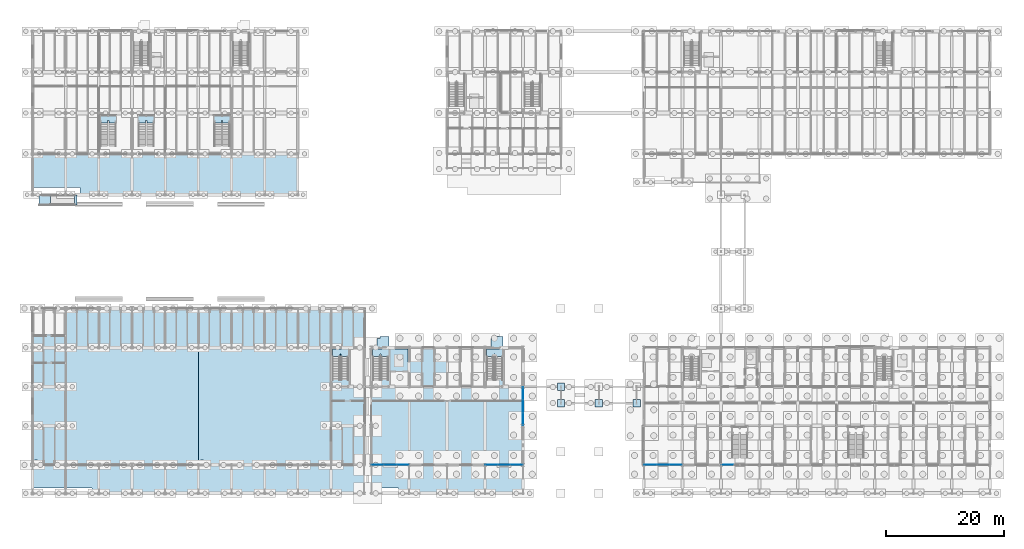
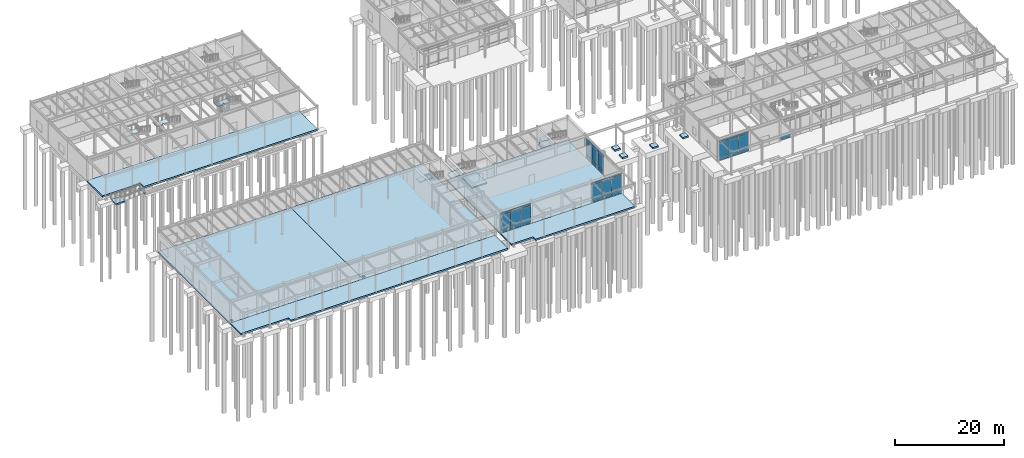
# One storey, part 50 of 82: 37 plates, 21 slabs, 11 elements without a shape of their own.
"""IFC4 building model written with IfcOpenShell, lengths in metres."""

from ifc_helpers import new_model, si_unit, direction, frame, origin, origin_2d, place, context, subcontext, project, spatial, polyline, rectangle, outline, extrude, material, layer, layer_set, type_object, element, aggregate, save


model = new_model("IFC4")

# Units and contexts
model_context = context("Model", 3, precision=1e-05, world=origin(), true_north=direction((0.0, 1.0)))
body_context = subcontext(model_context, "Body", "Model", "MODEL_VIEW")
ifc_project = project(units=[si_unit("LENGTHUNIT", "METRE"), si_unit("AREAUNIT", "SQUARE_METRE"), si_unit("VOLUMEUNIT", "CUBIC_METRE"), si_unit("PLANEANGLEUNIT", "RADIAN"), si_unit("MASSUNIT", "GRAM", prefix="KILO")], contexts=[model_context])

# Site, building, storey
site_placement = place(None, origin())
site = spatial("IfcSite", under=ifc_project, at=site_placement, CompositionType="ELEMENT")
building_placement = place(site_placement, origin())
building = spatial("IfcBuilding", under=site, at=building_placement, Name="Trelmorton Wharf Fire Station", CompositionType="ELEMENT")
storey_placement = place(building_placement, origin())
storey = spatial("IfcBuildingStorey", under=building, at=storey_placement, Name="L00", CompositionType="ELEMENT", Elevation=0.0)

# Curtain wall, plates
ifc_material_1 = material(Name="Anodised aluminium AW-6063", Category="aluminium")
ifc_layer_1 = layer(ifc_material_1, 0.159912109375)
ifc_layer_set_1 = layer_set([ifc_layer_1], Name="Anodised aluminium AW-6063")
curtain_wall_type_1 = type_object("IfcCurtainWallType", Name="CW_CHIC_A", PredefinedType="USERDEFINED", material=ifc_layer_set_1)
curtain_wall_1_placement = place(storey_placement, origin())
curtain_wall_1 = element("IfcCurtainWall", 1, at=curtain_wall_1_placement, inside=storey, type_object=curtain_wall_type_1, Name="CW-V3-L00-019", ObjectType="CHICAGO BAY CURTAIN WALL", PredefinedType="USERDEFINED")
ifc_material_2 = material(Name="Tempered low-E double glazing", Category="glass")
ifc_layer_2 = layer(ifc_material_2, 0.028076171875)
ifc_layer_set_2 = layer_set([ifc_layer_2], Name="Tempered low-E double glazing")
plate_type_1 = type_object("IfcPlateType", Name="CWP_GLAZ_28", PredefinedType="CURTAIN_PANEL", material=ifc_layer_set_2)
plate_1_placement = place(storey_placement, frame((63.31494140625, 7.800048828125, 0.06005859375), z_axis=(0.0, 0.0, 1.0), x_axis=(-1.0, 0.0, 0.0)))
plate_1 = element("IfcPlate", 2, at=plate_1_placement, type_object=plate_type_1, Name="CW1 panel 1.1", PredefinedType="CURTAIN_PANEL", context=body_context, shape_type="SweptSolid", body=[
    extrude(rectangle(XDim=2.0400390625, YDim=0.028076171875, at=origin_2d()), origin(), (0.0, 0.0, 1.0), 0.760009765625),
])
plate_2_placement = place(storey_placement, frame((63.31494140625, 7.800048828125, 0.8798828125), z_axis=(0.0, 0.0, 1.0), x_axis=(-1.0, 0.0, 0.0)))
plate_2 = element("IfcPlate", 3, at=plate_2_placement, type_object=plate_type_1, Name="CW1 panel 1.2", PredefinedType="CURTAIN_PANEL", context=body_context, shape_type="SweptSolid", body=[
    extrude(rectangle(XDim=2.0400390625, YDim=0.028076171875, at=origin_2d()), origin(), (0.0, 0.0, 1.0), 3.110107421875),
])
plate_3_placement = place(storey_placement, frame((63.31494140625, 7.800048828125, 4.0498046875), z_axis=(0.0, 0.0, 1.0), x_axis=(-1.0, 0.0, 0.0)))
plate_3 = element("IfcPlate", 4, at=plate_3_placement, type_object=plate_type_1, Name="CW1 panel 1.3", PredefinedType="CURTAIN_PANEL", context=body_context, shape_type="SweptSolid", body=[
    extrude(rectangle(XDim=2.0400390625, YDim=0.028076171875, at=origin_2d()), origin(), (0.0, 0.0, 1.0), 0.409912109375),
])
plate_4_placement = place(storey_placement, frame((61.199951171875, 7.800048828125, 0.06005859375), z_axis=(0.0, 0.0, 1.0), x_axis=(-1.0, 0.0, 0.0)))
plate_4 = element("IfcPlate", 5, at=plate_4_placement, type_object=plate_type_1, Name="CW1 panel 2.1", PredefinedType="CURTAIN_PANEL", context=body_context, shape_type="SweptSolid", body=[
    extrude(rectangle(XDim=2.070068359375, YDim=0.028076171875, at=origin_2d()), origin(), (0.0, 0.0, 1.0), 0.760009765625),
])
plate_5_placement = place(storey_placement, frame((61.199951171875, 7.800048828125, 0.8798828125), z_axis=(0.0, 0.0, 1.0), x_axis=(-1.0, 0.0, 0.0)))
plate_5 = element("IfcPlate", 6, at=plate_5_placement, type_object=plate_type_1, Name="CW1 panel 2.2", PredefinedType="CURTAIN_PANEL", context=body_context, shape_type="SweptSolid", body=[
    extrude(rectangle(XDim=2.070068359375, YDim=0.028076171875, at=origin_2d()), origin(), (0.0, 0.0, 1.0), 3.110107421875),
])
plate_6_placement = place(storey_placement, frame((61.199951171875, 7.800048828125, 4.0498046875), z_axis=(0.0, 0.0, 1.0), x_axis=(-1.0, 0.0, 0.0)))
plate_6 = element("IfcPlate", 7, at=plate_6_placement, type_object=plate_type_1, Name="CW1 panel 2.3", PredefinedType="CURTAIN_PANEL", context=body_context, shape_type="SweptSolid", body=[
    extrude(rectangle(XDim=2.070068359375, YDim=0.028076171875, at=origin_2d()), origin(), (0.0, 0.0, 1.0), 0.409912109375),
])
plate_7_placement = place(storey_placement, frame((59.0849609375, 7.800048828125, 0.06005859375), z_axis=(0.0, 0.0, 1.0), x_axis=(-1.0, 0.0, 0.0)))
plate_7 = element("IfcPlate", 8, at=plate_7_placement, type_object=plate_type_1, Name="CW1 panel 3.1", PredefinedType="CURTAIN_PANEL", context=body_context, shape_type="SweptSolid", body=[
    extrude(rectangle(XDim=2.0400390625, YDim=0.028076171875, at=origin_2d()), origin(), (0.0, 0.0, 1.0), 0.760009765625),
])
plate_8_placement = place(storey_placement, frame((59.0849609375, 7.800048828125, 0.8798828125), z_axis=(0.0, 0.0, 1.0), x_axis=(-1.0, 0.0, 0.0)))
plate_8 = element("IfcPlate", 9, at=plate_8_placement, type_object=plate_type_1, Name="CW1 panel 3.2", PredefinedType="CURTAIN_PANEL", context=body_context, shape_type="SweptSolid", body=[
    extrude(rectangle(XDim=2.0400390625, YDim=0.028076171875, at=origin_2d()), origin(), (0.0, 0.0, 1.0), 3.110107421875),
])
plate_9_placement = place(storey_placement, frame((59.0849609375, 7.800048828125, 4.0498046875), z_axis=(0.0, 0.0, 1.0), x_axis=(-1.0, 0.0, 0.0)))
plate_9 = element("IfcPlate", 10, at=plate_9_placement, type_object=plate_type_1, Name="CW1 panel 3.3", PredefinedType="CURTAIN_PANEL", context=body_context, shape_type="SweptSolid", body=[
    extrude(rectangle(XDim=2.0400390625, YDim=0.028076171875, at=origin_2d()), origin(), (0.0, 0.0, 1.0), 0.409912109375),
])
aggregate(curtain_wall_1, [plate_1, plate_2, plate_3, plate_4, plate_5, plate_6, plate_7, plate_8, plate_9])

curtain_wall_2_placement = place(storey_placement, origin())
curtain_wall_2 = element("IfcCurtainWall", 11, at=curtain_wall_2_placement, inside=storey, type_object=curtain_wall_type_1, Name="CW-V3-L00-020", ObjectType="CHICAGO BAY CURTAIN WALL", PredefinedType="USERDEFINED")
plate_10_placement = place(storey_placement, frame((82.514892578125, 7.800048828125, 0.06005859375), z_axis=(0.0, 0.0, 1.0), x_axis=(-1.0, 0.0, 0.0)))
plate_10 = element("IfcPlate", 12, at=plate_10_placement, type_object=plate_type_1, Name="CW1 panel 1.1", PredefinedType="CURTAIN_PANEL", context=body_context, shape_type="SweptSolid", body=[
    extrude(rectangle(XDim=2.0400390625, YDim=0.028076171875, at=origin_2d()), origin(), (0.0, 0.0, 1.0), 0.760009765625),
])
plate_11_placement = place(storey_placement, frame((82.514892578125, 7.800048828125, 0.8798828125), z_axis=(0.0, 0.0, 1.0), x_axis=(-1.0, 0.0, 0.0)))
plate_11 = element("IfcPlate", 13, at=plate_11_placement, type_object=plate_type_1, Name="CW1 panel 1.2", PredefinedType="CURTAIN_PANEL", context=body_context, shape_type="SweptSolid", body=[
    extrude(rectangle(XDim=2.0400390625, YDim=0.028076171875, at=origin_2d()), origin(), (0.0, 0.0, 1.0), 3.110107421875),
])
plate_12_placement = place(storey_placement, frame((82.514892578125, 7.800048828125, 4.0498046875), z_axis=(0.0, 0.0, 1.0), x_axis=(-1.0, 0.0, 0.0)))
plate_12 = element("IfcPlate", 14, at=plate_12_placement, type_object=plate_type_1, Name="CW1 panel 1.3", PredefinedType="CURTAIN_PANEL", context=body_context, shape_type="SweptSolid", body=[
    extrude(rectangle(XDim=2.0400390625, YDim=0.028076171875, at=origin_2d()), origin(), (0.0, 0.0, 1.0), 0.409912109375),
])
plate_13_placement = place(storey_placement, frame((80.39990234375, 7.800048828125, 0.06005859375), z_axis=(0.0, 0.0, 1.0), x_axis=(-1.0, 0.0, 0.0)))
plate_13 = element("IfcPlate", 15, at=plate_13_placement, type_object=plate_type_1, Name="CW1 panel 2.1", PredefinedType="CURTAIN_PANEL", context=body_context, shape_type="SweptSolid", body=[
    extrude(rectangle(XDim=2.070068359375, YDim=0.028076171875, at=origin_2d()), origin(), (0.0, 0.0, 1.0), 0.760009765625),
])
plate_14_placement = place(storey_placement, frame((80.39990234375, 7.800048828125, 0.8798828125), z_axis=(0.0, 0.0, 1.0), x_axis=(-1.0, 0.0, 0.0)))
plate_14 = element("IfcPlate", 16, at=plate_14_placement, type_object=plate_type_1, Name="CW1 panel 2.2", PredefinedType="CURTAIN_PANEL", context=body_context, shape_type="SweptSolid", body=[
    extrude(rectangle(XDim=2.070068359375, YDim=0.028076171875, at=origin_2d()), origin(), (0.0, 0.0, 1.0), 3.110107421875),
])
plate_15_placement = place(storey_placement, frame((80.39990234375, 7.800048828125, 4.0498046875), z_axis=(0.0, 0.0, 1.0), x_axis=(-1.0, 0.0, 0.0)))
plate_15 = element("IfcPlate", 17, at=plate_15_placement, type_object=plate_type_1, Name="CW1 panel 2.3", PredefinedType="CURTAIN_PANEL", context=body_context, shape_type="SweptSolid", body=[
    extrude(rectangle(XDim=2.070068359375, YDim=0.028076171875, at=origin_2d()), origin(), (0.0, 0.0, 1.0), 0.409912109375),
])
plate_16_placement = place(storey_placement, frame((78.284912109375, 7.800048828125, 0.06005859375), z_axis=(0.0, 0.0, 1.0), x_axis=(-1.0, 0.0, 0.0)))
plate_16 = element("IfcPlate", 18, at=plate_16_placement, type_object=plate_type_1, Name="CW1 panel 3.1", PredefinedType="CURTAIN_PANEL", context=body_context, shape_type="SweptSolid", body=[
    extrude(rectangle(XDim=2.0400390625, YDim=0.028076171875, at=origin_2d()), origin(), (0.0, 0.0, 1.0), 0.760009765625),
])
plate_17_placement = place(storey_placement, frame((78.284912109375, 7.800048828125, 0.8798828125), z_axis=(0.0, 0.0, 1.0), x_axis=(-1.0, 0.0, 0.0)))
plate_17 = element("IfcPlate", 19, at=plate_17_placement, type_object=plate_type_1, Name="CW1 panel 3.2", PredefinedType="CURTAIN_PANEL", context=body_context, shape_type="SweptSolid", body=[
    extrude(rectangle(XDim=2.0400390625, YDim=0.028076171875, at=origin_2d()), origin(), (0.0, 0.0, 1.0), 3.110107421875),
])
plate_18_placement = place(storey_placement, frame((78.284912109375, 7.800048828125, 4.0498046875), z_axis=(0.0, 0.0, 1.0), x_axis=(-1.0, 0.0, 0.0)))
plate_18 = element("IfcPlate", 20, at=plate_18_placement, type_object=plate_type_1, Name="CW1 panel 3.3", PredefinedType="CURTAIN_PANEL", context=body_context, shape_type="SweptSolid", body=[
    extrude(rectangle(XDim=2.0400390625, YDim=0.028076171875, at=origin_2d()), origin(), (0.0, 0.0, 1.0), 0.409912109375),
])
aggregate(curtain_wall_2, [plate_10, plate_11, plate_12, plate_13, plate_14, plate_15, plate_16, plate_17, plate_18])

curtain_wall_3_placement = place(storey_placement, origin())
curtain_wall_3 = element("IfcCurtainWall", 21, at=curtain_wall_3_placement, inside=storey, type_object=curtain_wall_type_1, Name="CW-V5-L00-029", ObjectType="CHICAGO BAY CURTAIN WALL", PredefinedType="USERDEFINED")
plate_19_placement = place(storey_placement, frame((109.3984375, 7.800048828125, 0.06005859375), z_axis=(0.0, 0.0, 1.0), x_axis=(-1.0, 0.0, 0.0)))
plate_19 = element("IfcPlate", 22, at=plate_19_placement, type_object=plate_type_1, Name="CW1 panel 1.1", PredefinedType="CURTAIN_PANEL", context=body_context, shape_type="SweptSolid", body=[
    extrude(rectangle(XDim=2.0732421875, YDim=0.028076171875, at=origin_2d()), origin(), (0.0, 0.0, 1.0), 0.760009765625),
])
plate_20_placement = place(storey_placement, frame((109.3984375, 7.800048828125, 0.8798828125), z_axis=(0.0, 0.0, 1.0), x_axis=(-1.0, 0.0, 0.0)))
plate_20 = element("IfcPlate", 23, at=plate_20_placement, type_object=plate_type_1, Name="CW1 panel 1.2", PredefinedType="CURTAIN_PANEL", context=body_context, shape_type="SweptSolid", body=[
    extrude(rectangle(XDim=2.0732421875, YDim=0.028076171875, at=origin_2d()), origin(), (0.0, 0.0, 1.0), 3.110107421875),
])
plate_21_placement = place(storey_placement, frame((109.3984375, 7.800048828125, 4.0498046875), z_axis=(0.0, 0.0, 1.0), x_axis=(-1.0, 0.0, 0.0)))
plate_21 = element("IfcPlate", 24, at=plate_21_placement, type_object=plate_type_1, Name="CW1 panel 1.3", PredefinedType="CURTAIN_PANEL", context=body_context, shape_type="SweptSolid", body=[
    extrude(rectangle(XDim=2.0732421875, YDim=0.028076171875, at=origin_2d()), origin(), (0.0, 0.0, 1.0), 0.409912109375),
])
plate_22_placement = place(storey_placement, frame((107.25, 7.800048828125, 0.06005859375), z_axis=(0.0, 0.0, 1.0), x_axis=(-1.0, 0.0, 0.0)))
plate_22 = element("IfcPlate", 25, at=plate_22_placement, type_object=plate_type_1, Name="CW1 panel 2.1", PredefinedType="CURTAIN_PANEL", context=body_context, shape_type="SweptSolid", body=[
    extrude(rectangle(XDim=2.103271484375, YDim=0.028076171875, at=origin_2d()), origin(), (0.0, 0.0, 1.0), 0.760009765625),
])
plate_23_placement = place(storey_placement, frame((107.25, 7.800048828125, 0.8798828125), z_axis=(0.0, 0.0, 1.0), x_axis=(-1.0, 0.0, 0.0)))
plate_23 = element("IfcPlate", 26, at=plate_23_placement, type_object=plate_type_1, Name="CW1 panel 2.2", PredefinedType="CURTAIN_PANEL", context=body_context, shape_type="SweptSolid", body=[
    extrude(rectangle(XDim=2.103271484375, YDim=0.028076171875, at=origin_2d()), origin(), (0.0, 0.0, 1.0), 3.110107421875),
])
plate_24_placement = place(storey_placement, frame((107.25, 7.800048828125, 4.0498046875), z_axis=(0.0, 0.0, 1.0), x_axis=(-1.0, 0.0, 0.0)))
plate_24 = element("IfcPlate", 27, at=plate_24_placement, type_object=plate_type_1, Name="CW1 panel 2.3", PredefinedType="CURTAIN_PANEL", context=body_context, shape_type="SweptSolid", body=[
    extrude(rectangle(XDim=2.103271484375, YDim=0.028076171875, at=origin_2d()), origin(), (0.0, 0.0, 1.0), 0.409912109375),
])
plate_25_placement = place(storey_placement, frame((105.1015625, 7.800048828125, 0.06005859375), z_axis=(0.0, 0.0, 1.0), x_axis=(-1.0, 0.0, 0.0)))
plate_25 = element("IfcPlate", 28, at=plate_25_placement, type_object=plate_type_1, Name="CW1 panel 3.1", PredefinedType="CURTAIN_PANEL", context=body_context, shape_type="SweptSolid", body=[
    extrude(rectangle(XDim=2.0732421875, YDim=0.028076171875, at=origin_2d()), origin(), (0.0, 0.0, 1.0), 0.760009765625),
])
plate_26_placement = place(storey_placement, frame((105.1015625, 7.800048828125, 0.8798828125), z_axis=(0.0, 0.0, 1.0), x_axis=(-1.0, 0.0, 0.0)))
plate_26 = element("IfcPlate", 29, at=plate_26_placement, type_object=plate_type_1, Name="CW1 panel 3.2", PredefinedType="CURTAIN_PANEL", context=body_context, shape_type="SweptSolid", body=[
    extrude(rectangle(XDim=2.0732421875, YDim=0.028076171875, at=origin_2d()), origin(), (0.0, 0.0, 1.0), 3.110107421875),
])
plate_27_placement = place(storey_placement, frame((105.1015625, 7.800048828125, 4.0498046875), z_axis=(0.0, 0.0, 1.0), x_axis=(-1.0, 0.0, 0.0)))
plate_27 = element("IfcPlate", 30, at=plate_27_placement, type_object=plate_type_1, Name="CW1 panel 3.3", PredefinedType="CURTAIN_PANEL", context=body_context, shape_type="SweptSolid", body=[
    extrude(rectangle(XDim=2.0732421875, YDim=0.028076171875, at=origin_2d()), origin(), (0.0, 0.0, 1.0), 0.409912109375),
])
aggregate(curtain_wall_3, [plate_19, plate_20, plate_21, plate_22, plate_23, plate_24, plate_25, plate_26, plate_27])

ifc_layer_3 = layer(ifc_material_1, 0.14990234375)
ifc_layer_set_3 = layer_set([ifc_layer_3], Name="Anodised aluminium AW-6063")
curtain_wall_type_2 = type_object("IfcCurtainWallType", Name="CW_UNIT_A", PredefinedType="USERDEFINED", material=ifc_layer_set_3)
curtain_wall_4_placement = place(storey_placement, origin())
curtain_wall_4 = element("IfcCurtainWall", 31, at=curtain_wall_4_placement, inside=storey, type_object=curtain_wall_type_2, Name="CW-V3-L00-021", ObjectType="UNITISED CURTAIN WALL", PredefinedType="USERDEFINED")
ifc_layer_4 = layer(ifc_material_2, 0.028076171875)
ifc_layer_set_4 = layer_set([ifc_layer_4], Name="Tempered low-E double glazing")
plate_type_2 = type_object("IfcPlateType", Name="CWP_GLAZ_38", PredefinedType="CURTAIN_PANEL", material=ifc_layer_set_4)
plate_28_placement = place(storey_placement, frame((83.60009765625, 19.881591796875, 0.06005859375), z_axis=(0.0, 0.0, 1.0), x_axis=(0.0, -1.0, 0.0)))
plate_28 = element("IfcPlate", 32, at=plate_28_placement, type_object=plate_type_2, Name="CW3 panel 1.1", PredefinedType="CURTAIN_PANEL", context=body_context, shape_type="SweptSolid", body=[
    extrude(rectangle(XDim=2.106689453125, YDim=0.028076171875, at=origin_2d()), origin(), (0.0, 0.0, 1.0), 0.760009765625),
])
plate_29_placement = place(storey_placement, frame((83.60009765625, 19.881591796875, 0.8798828125), z_axis=(0.0, 0.0, 1.0), x_axis=(0.0, -1.0, 0.0)))
plate_29 = element("IfcPlate", 33, at=plate_29_placement, type_object=plate_type_2, Name="CW3 panel 1.2", PredefinedType="CURTAIN_PANEL", context=body_context, shape_type="SweptSolid", body=[
    extrude(rectangle(XDim=2.106689453125, YDim=0.028076171875, at=origin_2d()), origin(), (0.0, 0.0, 1.0), 3.110107421875),
])
plate_30_placement = place(storey_placement, frame((83.60009765625, 19.881591796875, 4.0498046875), z_axis=(0.0, 0.0, 1.0), x_axis=(0.0, -1.0, 0.0)))
plate_30 = element("IfcPlate", 34, at=plate_30_placement, type_object=plate_type_2, Name="CW3 panel 1.3", PredefinedType="CURTAIN_PANEL", context=body_context, shape_type="SweptSolid", body=[
    extrude(rectangle(XDim=2.106689453125, YDim=0.028076171875, at=origin_2d()), origin(), (0.0, 0.0, 1.0), 0.409912109375),
])
plate_31_placement = place(storey_placement, frame((83.60009765625, 17.699951171875, 0.06005859375), z_axis=(0.0, 0.0, 1.0), x_axis=(0.0, -1.0, 0.0)))
plate_31 = element("IfcPlate", 35, at=plate_31_placement, type_object=plate_type_2, Name="CW3 panel 2.1", PredefinedType="CURTAIN_PANEL", context=body_context, shape_type="SweptSolid", body=[
    extrude(rectangle(XDim=2.13671875, YDim=0.028076171875, at=origin_2d()), origin(), (0.0, 0.0, 1.0), 0.760009765625),
])
plate_32_placement = place(storey_placement, frame((83.60009765625, 17.699951171875, 0.8798828125), z_axis=(0.0, 0.0, 1.0), x_axis=(0.0, -1.0, 0.0)))
plate_32 = element("IfcPlate", 36, at=plate_32_placement, type_object=plate_type_2, Name="CW3 panel 2.2", PredefinedType="CURTAIN_PANEL", context=body_context, shape_type="SweptSolid", body=[
    extrude(rectangle(XDim=2.13671875, YDim=0.028076171875, at=origin_2d()), origin(), (0.0, 0.0, 1.0), 3.110107421875),
])
plate_33_placement = place(storey_placement, frame((83.60009765625, 17.699951171875, 4.0498046875), z_axis=(0.0, 0.0, 1.0), x_axis=(0.0, -1.0, 0.0)))
plate_33 = element("IfcPlate", 37, at=plate_33_placement, type_object=plate_type_2, Name="CW3 panel 2.3", PredefinedType="CURTAIN_PANEL", context=body_context, shape_type="SweptSolid", body=[
    extrude(rectangle(XDim=2.13671875, YDim=0.028076171875, at=origin_2d()), origin(), (0.0, 0.0, 1.0), 0.409912109375),
])
plate_34_placement = place(storey_placement, frame((83.60009765625, 15.518310546875, 0.06005859375), z_axis=(0.0, 0.0, 1.0), x_axis=(0.0, -1.0, 0.0)))
plate_34 = element("IfcPlate", 38, at=plate_34_placement, type_object=plate_type_2, Name="CW3 panel 3.1", PredefinedType="CURTAIN_PANEL", context=body_context, shape_type="SweptSolid", body=[
    extrude(rectangle(XDim=2.106689453125, YDim=0.028076171875, at=origin_2d()), origin(), (0.0, 0.0, 1.0), 0.760009765625),
])
plate_35_placement = place(storey_placement, frame((83.60009765625, 15.518310546875, 0.8798828125), z_axis=(0.0, 0.0, 1.0), x_axis=(0.0, -1.0, 0.0)))
plate_35 = element("IfcPlate", 39, at=plate_35_placement, type_object=plate_type_2, Name="CW3 panel 3.2", PredefinedType="CURTAIN_PANEL", context=body_context, shape_type="SweptSolid", body=[
    extrude(rectangle(XDim=2.106689453125, YDim=0.028076171875, at=origin_2d()), origin(), (0.0, 0.0, 1.0), 3.110107421875),
])
plate_36_placement = place(storey_placement, frame((83.60009765625, 15.518310546875, 4.0498046875), z_axis=(0.0, 0.0, 1.0), x_axis=(0.0, -1.0, 0.0)))
plate_36 = element("IfcPlate", 40, at=plate_36_placement, type_object=plate_type_2, Name="CW3 panel 3.3", PredefinedType="CURTAIN_PANEL", context=body_context, shape_type="SweptSolid", body=[
    extrude(rectangle(XDim=2.106689453125, YDim=0.028076171875, at=origin_2d()), origin(), (0.0, 0.0, 1.0), 0.409912109375),
])
aggregate(curtain_wall_4, [plate_28, plate_29, plate_30, plate_31, plate_32, plate_33, plate_34, plate_35, plate_36])

# Curtain wall, plate
curtain_wall_5_placement = place(storey_placement, origin())
curtain_wall_5 = element("IfcCurtainWall", 41, at=curtain_wall_5_placement, inside=storey, type_object=curtain_wall_type_1, Name="CW-V5-L00-030", ObjectType="CHICAGO BAY CURTAIN WALL", PredefinedType="USERDEFINED")
ifc_material_3 = material(Name="Ceramic-fritted spandrel glazing", Category="glass")
ifc_layer_5 = layer(ifc_material_3, 0.028076171875)
ifc_layer_set_5 = layer_set([ifc_layer_5], Name="Ceramic-fritted spandrel glazing")
plate_type_3 = type_object("IfcPlateType", Name="CWP_SPAN_48", PredefinedType="CURTAIN_PANEL", material=ifc_layer_set_5)
plate_37_placement = place(storey_placement, frame((118.1015625, 7.800048828125, 0.06005859375), z_axis=(0.0, 0.0, 1.0), x_axis=(-1.0, 0.0, 0.0)))
plate_37 = element("IfcPlate", 42, at=plate_37_placement, type_object=plate_type_3, Name="CW1 panel 3.1", PredefinedType="CURTAIN_PANEL", context=body_context, shape_type="SweptSolid", body=[
    extrude(rectangle(XDim=2.0732421875, YDim=0.028076171875, at=origin_2d()), origin(), (0.0, 0.0, 1.0), 0.760009765625),
])
aggregate(curtain_wall_5, [plate_37])

# Slabs
ifc_material_4 = material(Name="Concrete 40 MPa", Category="concrete")
ifc_layer_6 = layer(ifc_material_4, 0.35009765625)
ifc_layer_set_6 = layer_set([ifc_layer_6], Name="Concrete 40 MPa")
slab_type_1 = type_object("IfcSlabType", Name="SL_BASE_350", PredefinedType="BASESLAB", material=ifc_layer_set_6)
slab_1_placement = place(storey_placement, frame((0.0, 0.0, -0.35009765625)))
element("IfcSlab", 43, at=slab_1_placement, inside=storey, type_object=slab_type_1, Name="SL-V1-L00-001", PredefinedType="BASESLAB", context=body_context, shape_type="SweptSolid", body=[
    extrude(outline(polyline([(28.800048828125, 7.800048828125), (0.800048828125, 7.800048828125), (0.800048828125, 34.199951171875), (28.800048828125, 34.199951171875), (28.800048828125, 7.800048828125)]), holes=[polyline([(1.64990234375, 8.64990234375), (1.14990234375, 8.64990234375), (1.14990234375, 8.14990234375), (1.64990234375, 8.14990234375), (1.64990234375, 8.64990234375)])]), origin(), (0.0, 0.0, 1.0), 0.35009765625),
])
slab_2_placement = place(storey_placement, frame((0.0, 0.0, -0.35009765625)))
element("IfcSlab", 44, at=slab_2_placement, inside=storey, type_object=slab_type_1, Name="SL-V1-L00-002", PredefinedType="BASESLAB", context=body_context, shape_type="SweptSolid", body=[
    extrude(outline(polyline([(28.800048828125, 7.800048828125), (28.800048828125, 34.199951171875), (56.800048828125, 34.199951171875), (56.800048828125, 7.800048828125), (28.800048828125, 7.800048828125)]), holes=[polyline([(29.64990234375, 8.64990234375), (29.14990234375, 8.64990234375), (29.14990234375, 8.14990234375), (29.64990234375, 8.14990234375), (29.64990234375, 8.64990234375)])]), origin(), (0.0, 0.0, 1.0), 0.35009765625),
])
slab_3_placement = place(storey_placement, frame((0.0, 0.0, -0.35009765625)))
element("IfcSlab", 45, at=slab_3_placement, inside=storey, type_object=slab_type_1, Name="SL-EXT-V1_LOGGIA_L00", PredefinedType="BASESLAB", context=body_context, shape_type="SweptSolid", body=[
    extrude(outline(polyline([(0.800048828125, 7.800048828125), (56.800048828125, 7.800048828125), (56.800048828125, 3.0), (10.8798828125, 3.0), (10.8798828125, 3.864013671875), (0.800048828125, 3.864013671875), (0.800048828125, 7.800048828125)])), origin(), (0.0, 0.0, 1.0), 0.35009765625),
])
slab_4_placement = place(storey_placement, frame((0.0, 0.0, -0.35009765625)))
element("IfcSlab", 46, at=slab_4_placement, inside=storey, type_object=slab_type_1, Name="SL-V3-L00-007", PredefinedType="BASESLAB", context=body_context, shape_type="SweptSolid", body=[
    extrude(outline(polyline([(58.0, 7.800048828125), (58.0, 27.60009765625), (83.60009765625, 27.60009765625), (83.60009765625, 7.800048828125), (58.0, 7.800048828125)]), holes=[polyline([(58.85009765625, 8.64990234375), (58.35009765625, 8.64990234375), (58.35009765625, 8.14990234375), (58.85009765625, 8.14990234375), (58.85009765625, 8.64990234375)])]), origin(), (0.0, 0.0, 1.0), 0.35009765625),
])
slab_5_placement = place(storey_placement, frame((0.0, 0.0, -0.35009765625)))
element("IfcSlab", 47, at=slab_5_placement, inside=storey, type_object=slab_type_1, Name="SL-EXT-V3_COLONNADE_L00", PredefinedType="BASESLAB", context=body_context, shape_type="SweptSolid", body=[
    extrude(outline(polyline([(58.0, 7.800048828125), (83.60009765625, 7.800048828125), (83.60009765625, 3.0), (62.60791015625, 3.0), (62.60791015625, 3.864013671875), (58.0, 3.864013671875), (58.0, 7.800048828125)])), origin(), (0.0, 0.0, 1.0), 0.35009765625),
])
slab_6_placement = place(storey_placement, frame((0.0, 0.0, -0.35009765625)))
element("IfcSlab", 48, at=slab_6_placement, inside=storey, type_object=slab_type_1, Name="SL-EXT-V6_APRON_L00", PredefinedType="BASESLAB", context=body_context, shape_type="SweptSolid", body=[
    extrude(outline(polyline([(0.800048828125, 60.300048828125), (45.60009765625, 60.300048828125), (45.60009765625, 53.39990234375), (8.864013671875, 53.39990234375), (8.864013671875, 54.64208984375), (0.800048828125, 54.64208984375), (0.800048828125, 60.300048828125)])), origin(), (0.0, 0.0, 1.0), 0.35009765625),
])
slab_7_placement = place(storey_placement, frame((0.0, 0.0, -0.35009765625)))
element("IfcSlab", 49, at=slab_7_placement, inside=storey, type_object=slab_type_1, Name="SL-PED-G17-182", PredefinedType="BASESLAB", context=body_context, shape_type="SweptSolid", body=[
    extrude(outline(polyline([(90.60009765625, 17.60009765625), (90.60009765625, 18.800048828125), (89.39990234375, 18.800048828125), (89.39990234375, 17.60009765625), (90.60009765625, 17.60009765625)])), origin(), (0.0, 0.0, 1.0), 0.35009765625),
])
slab_8_placement = place(storey_placement, frame((0.0, 0.0, -0.35009765625)))
element("IfcSlab", 50, at=slab_8_placement, inside=storey, type_object=slab_type_1, Name="SL-PED-G17-210", PredefinedType="BASESLAB", context=body_context, shape_type="SweptSolid", body=[
    extrude(outline(polyline([(90.60009765625, 20.39990234375), (90.60009765625, 21.60009765625), (89.39990234375, 21.60009765625), (89.39990234375, 20.39990234375), (90.60009765625, 20.39990234375)])), origin(), (0.0, 0.0, 1.0), 0.35009765625),
])
slab_9_placement = place(storey_placement, frame((0.0, 0.0, -0.35009765625)))
element("IfcSlab", 51, at=slab_9_placement, inside=storey, type_object=slab_type_1, Name="SL-PED-G18-182", PredefinedType="BASESLAB", context=body_context, shape_type="SweptSolid", body=[
    extrude(outline(polyline([(97.0, 17.60009765625), (97.0, 18.800048828125), (95.800048828125, 18.800048828125), (95.800048828125, 17.60009765625), (97.0, 17.60009765625)])), origin(), (0.0, 0.0, 1.0), 0.35009765625),
])
slab_10_placement = place(storey_placement, frame((0.0, 0.0, -0.35009765625)))
element("IfcSlab", 52, at=slab_10_placement, inside=storey, type_object=slab_type_1, Name="SL-PED-G19-182", PredefinedType="BASESLAB", context=body_context, shape_type="SweptSolid", body=[
    extrude(outline(polyline([(103.39990234375, 17.60009765625), (103.39990234375, 18.800048828125), (102.199951171875, 18.800048828125), (102.199951171875, 17.60009765625), (103.39990234375, 17.60009765625)])), origin(), (0.0, 0.0, 1.0), 0.35009765625),
])
slab_11_placement = place(storey_placement, frame((0.0, 0.0, -0.35009765625)))
element("IfcSlab", 53, at=slab_11_placement, inside=storey, type_object=slab_type_1, Name="SL-EXT-EXIT-C2", PredefinedType="BASESLAB", context=body_context, shape_type="SweptSolid", body=[
    extrude(outline(polyline([(61.0, 29.5), (61.0, 27.60009765625), (59.0, 27.60009765625), (59.0, 29.10009765625), (59.449951171875, 29.10009765625), (59.449951171875, 29.5), (61.0, 29.5)])), origin(), (0.0, 0.0, 1.0), 0.35009765625),
])
slab_12_placement = place(storey_placement, frame((0.0, 0.0, -0.35009765625)))
element("IfcSlab", 54, at=slab_12_placement, inside=storey, type_object=slab_type_1, Name="SL-EXT-EXIT-C2B", PredefinedType="BASESLAB", context=body_context, shape_type="SweptSolid", body=[
    extrude(outline(polyline([(80.199951171875, 29.5), (80.199951171875, 27.60009765625), (78.199951171875, 27.60009765625), (78.199951171875, 29.10009765625), (78.64990234375, 29.10009765625), (78.64990234375, 29.5), (80.199951171875, 29.5)])), origin(), (0.0, 0.0, 1.0), 0.35009765625),
])

# Stair, slab
ifc_material_5 = material(Name="Precast concrete 45 MPa", Category="concrete")
stair_type = type_object("IfcStairType", Name="ST_DOG_540", PredefinedType="HALF_TURN_STAIR", material=ifc_material_5)
stair_1_placement = place(storey_placement, origin())
stair_1 = element("IfcStair", 55, at=stair_1_placement, inside=storey, type_object=stair_type, Name="Escape Stair ST1-L00", PredefinedType="HALF_TURN_STAIR")
ifc_layer_7 = layer(ifc_material_5, 0.199951171875)
ifc_layer_set_7 = layer_set([ifc_layer_7], Name="Precast concrete 45 MPa")
slab_type_2 = type_object("IfcSlabType", Name="SL_LAND_180", PredefinedType="LANDING", material=ifc_layer_set_7)
slab_13_placement = place(storey_placement, frame((0.0, 0.0, 2.5)))
slab_13 = element("IfcSlab", 56, at=slab_13_placement, type_object=slab_type_2, Name="ST1-L00 landing 1", PredefinedType="LANDING", context=body_context, shape_type="SweptSolid", body=[
    extrude(outline(polyline([(51.425048828125, 26.06005859375), (52.699951171875, 26.06005859375), (52.699951171875, 26.47998046875), (52.89990234375, 26.47998046875), (52.89990234375, 26.06005859375), (54.205078125, 26.06005859375), (54.205078125, 27.375), (51.425048828125, 27.375), (51.425048828125, 26.06005859375)])), origin(), (0.0, 0.0, 1.0), 0.199951171875),
])
aggregate(stair_1, [slab_13])

stair_2_placement = place(storey_placement, origin())
stair_2 = element("IfcStair", 57, at=stair_2_placement, inside=storey, type_object=stair_type, Name="Escape Stair ST2-L00", PredefinedType="HALF_TURN_STAIR")
slab_14_placement = place(storey_placement, frame((0.0, 0.0, 2.5)))
slab_14 = element("IfcSlab", 58, at=slab_14_placement, type_object=slab_type_2, Name="ST2-L00 landing 1", PredefinedType="LANDING", context=body_context, shape_type="SweptSolid", body=[
    extrude(outline(polyline([(58.22509765625, 26.06005859375), (59.4599609375, 26.06005859375), (59.4599609375, 26.47998046875), (59.659912109375, 26.47998046875), (59.659912109375, 26.06005859375), (61.0048828125, 26.06005859375), (61.0048828125, 27.375), (58.22509765625, 27.375), (58.22509765625, 26.06005859375)])), origin(), (0.0, 0.0, 1.0), 0.199951171875),
])
aggregate(stair_2, [slab_14])

stair_3_placement = place(storey_placement, origin())
stair_3 = element("IfcStair", 59, at=stair_3_placement, inside=storey, type_object=stair_type, Name="Escape Stair ST3-L00", PredefinedType="HALF_TURN_STAIR")
slab_15_placement = place(storey_placement, frame((0.0, 0.0, 2.5)))
slab_15 = element("IfcSlab", 60, at=slab_15_placement, type_object=slab_type_2, Name="ST3-L00 landing 1", PredefinedType="LANDING", context=body_context, shape_type="SweptSolid", body=[
    extrude(outline(polyline([(77.425048828125, 26.06005859375), (78.699951171875, 26.06005859375), (78.699951171875, 26.47998046875), (78.89990234375, 26.47998046875), (78.89990234375, 26.06005859375), (80.205078125, 26.06005859375), (80.205078125, 27.375), (77.425048828125, 27.375), (77.425048828125, 26.06005859375)])), origin(), (0.0, 0.0, 1.0), 0.199951171875),
])
aggregate(stair_3, [slab_15])

stair_4_placement = place(storey_placement, origin())
stair_4 = element("IfcStair", 61, at=stair_4_placement, inside=storey, type_object=stair_type, Name="Feature Access Stair STS-01", PredefinedType="HALF_TURN_STAIR")
slab_16_placement = place(storey_placement, frame((0.0, 0.0, 2.5)))
slab_16 = element("IfcSlab", 62, at=slab_16_placement, type_object=slab_type_2, Name="STS-01 landing 1", PredefinedType="LANDING", context=body_context, shape_type="SweptSolid", body=[
    extrude(outline(polyline([(12.239990234375, 65.52001953125), (13.47998046875, 65.52001953125), (13.47998046875, 65.89990234375), (13.719970703125, 65.89990234375), (13.719970703125, 65.52001953125), (14.9599609375, 65.52001953125), (14.9599609375, 66.860107421875), (12.239990234375, 66.860107421875), (12.239990234375, 65.52001953125)])), origin(), (0.0, 0.0, 1.0), 0.199951171875),
])
aggregate(stair_4, [slab_16])

stair_5_placement = place(storey_placement, origin())
stair_5 = element("IfcStair", 63, at=stair_5_placement, inside=storey, type_object=stair_type, Name="Feature Access Stair STS-02", PredefinedType="HALF_TURN_STAIR")
slab_17_placement = place(storey_placement, frame((0.0, 0.0, 2.5)))
slab_17 = element("IfcSlab", 64, at=slab_17_placement, type_object=slab_type_2, Name="STS-02 landing 1", PredefinedType="LANDING", context=body_context, shape_type="SweptSolid", body=[
    extrude(outline(polyline([(18.639892578125, 65.52001953125), (19.8798828125, 65.52001953125), (19.8798828125, 65.89990234375), (20.1201171875, 65.89990234375), (20.1201171875, 65.52001953125), (21.360107421875, 65.52001953125), (21.360107421875, 66.860107421875), (18.639892578125, 66.860107421875), (18.639892578125, 65.52001953125)])), origin(), (0.0, 0.0, 1.0), 0.199951171875),
])
aggregate(stair_5, [slab_17])

stair_6_placement = place(storey_placement, origin())
stair_6 = element("IfcStair", 65, at=stair_6_placement, inside=storey, type_object=stair_type, Name="Feature Access Stair STS-03", PredefinedType="HALF_TURN_STAIR")
slab_18_placement = place(storey_placement, frame((0.0, 0.0, 2.5)))
slab_18 = element("IfcSlab", 66, at=slab_18_placement, type_object=slab_type_2, Name="STS-03 landing 1", PredefinedType="LANDING", context=body_context, shape_type="SweptSolid", body=[
    extrude(outline(polyline([(31.43994140625, 65.52001953125), (32.679931640625, 65.52001953125), (32.679931640625, 65.89990234375), (32.919921875, 65.89990234375), (32.919921875, 65.52001953125), (34.159912109375, 65.52001953125), (34.159912109375, 66.860107421875), (31.43994140625, 66.860107421875), (31.43994140625, 65.52001953125)])), origin(), (0.0, 0.0, 1.0), 0.199951171875),
])
aggregate(stair_6, [slab_18])

# Slabs
ifc_material_6 = material(Name="Concrete 45 MPa", Category="concrete")
ifc_layer_8 = layer(ifc_material_6, 0.320068359375)
ifc_layer_set_8 = layer_set([ifc_layer_8], Name="Concrete 45 MPa")
slab_type_3 = type_object("IfcSlabType", Name="SL_PIT_320", PredefinedType="BASESLAB", material=ifc_layer_set_8)
slab_19_placement = place(storey_placement, frame((0.0, 0.0, -0.669921875)))
element("IfcSlab", 67, at=slab_19_placement, inside=storey, type_object=slab_type_3, Name="SL-PIT-C2", PredefinedType="BASESLAB", context=body_context, shape_type="SweptSolid", body=[
    extrude(outline(polyline([(61.06005859375, 23.5400390625), (64.195068359375, 23.5400390625), (64.195068359375, 27.39501953125), (61.06005859375, 27.39501953125), (61.06005859375, 23.5400390625)])), origin(), (0.0, 0.0, 1.0), 0.31982421875),
])
slab_20_placement = place(storey_placement, frame((0.0, 0.0, -0.669921875)))
element("IfcSlab", 68, at=slab_20_placement, inside=storey, type_object=slab_type_3, Name="SL-RMP-BOT", PredefinedType="BASESLAB", context=body_context, shape_type="SweptSolid", body=[
    extrude(outline(polyline([(1.89990234375, 51.60009765625), (3.860107421875, 51.60009765625), (3.860107421875, 53.320068359375), (1.89990234375, 53.320068359375), (1.89990234375, 51.60009765625)])), origin(), (0.0, 0.0, 1.0), 0.31982421875),
])
slab_21_placement = place(storey_placement, frame((0.0, 0.0, -0.340087890625)))
element("IfcSlab", 69, at=slab_21_placement, inside=storey, type_object=slab_type_3, Name="SL-RMP-TOP", PredefinedType="BASESLAB", context=body_context, shape_type="SweptSolid", body=[
    extrude(outline(polyline([(7.8798828125, 51.64990234375), (8.300048828125, 51.64990234375), (8.300048828125, 53.320068359375), (7.8798828125, 53.320068359375), (7.8798828125, 51.64990234375)])), origin(), (0.0, 0.0, 1.0), 0.320068359375),
])

save(model, "model.ifc")
